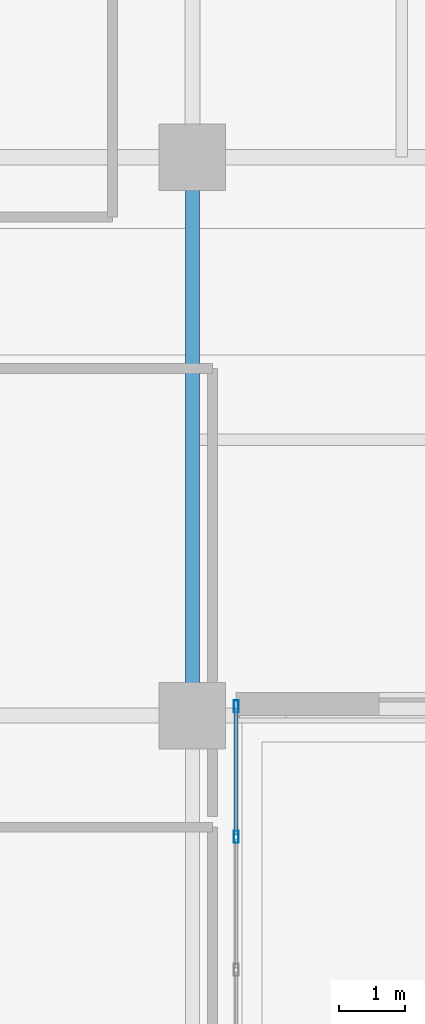
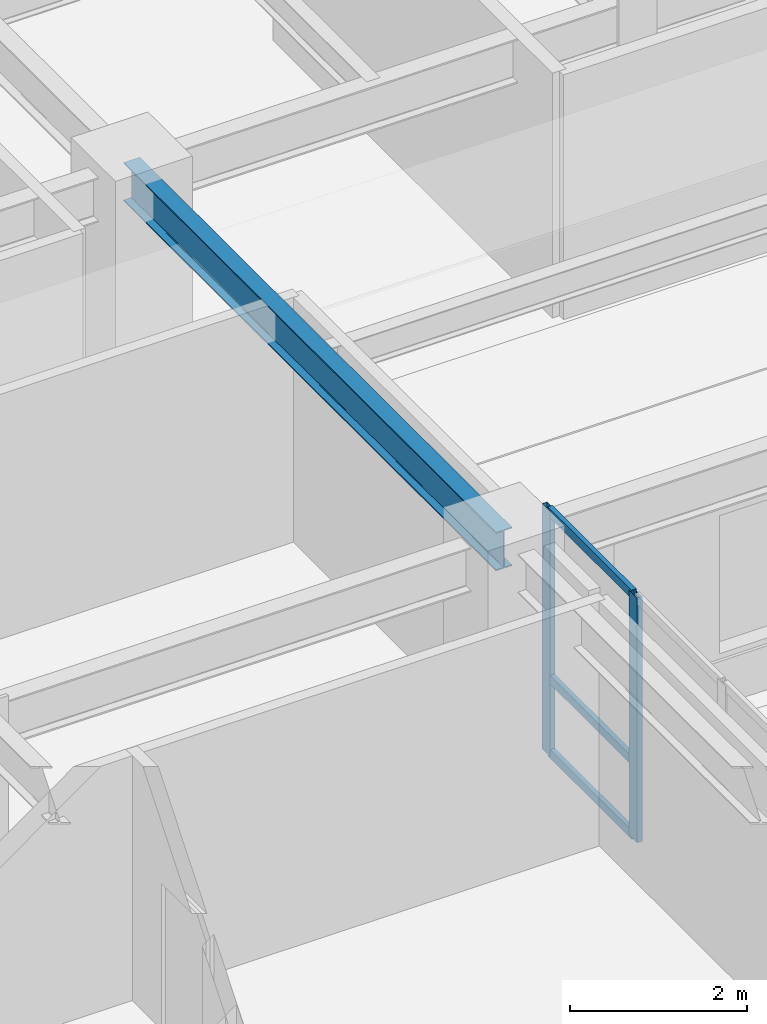
# One storey, part 6 of 25: 5 members, 1 beam, 1 element without a shape of its own.
"""IFC4 building model written with IfcOpenShell, lengths in metres."""

import ifcopenshell
import ifcopenshell.guid

model = None  # the IFC model being written
_history = None  # IfcOwnerHistory: only IFC2X3 demands one
_inside = {}  # id of a spatial element -> (the spatial element, [elements in it])
_under = {}  # id of a project, library or spatial element -> (it, [spatial elements below it])
_declared = {}  # id of a project -> (the project, [libraries it declares])
_typed = {}  # id of a type object -> (the type object, [elements of that type])
_made_of = {}  # id of a material, layer set ... -> (it, [elements and type objects made of it])


def new_model(schema):
    """Start an empty IFC model of exactly this schema.

    Asked for "IFC4X3", IfcOpenShell would pick the latest addendum, in which some entities
    have other attributes; the version numbers below select the first issue.
    IFC2X3 requires an IfcOwnerHistory on every rooted entity: one is made here for all.
    """
    global model, _history
    if schema == "IFC4X3":
        model = ifcopenshell.file(schema_version=(4, 3, 0, 0))
    else:
        model = ifcopenshell.file(schema=schema)
    _inside.clear()
    _under.clear()
    _declared.clear()
    _typed.clear()
    _made_of.clear()
    _history = None
    if model.schema == "IFC2X3":
        org = make("IfcOrganization", Name="unknown")
        user = make(
            "IfcPersonAndOrganization",
            ThePerson=make("IfcPerson", FamilyName="unknown"),
            TheOrganization=org,
        )
        app = make(
            "IfcApplication",
            ApplicationDeveloper=org,
            Version="unknown",
            ApplicationFullName="unknown",
            ApplicationIdentifier="unknown",
        )
        _history = make(
            "IfcOwnerHistory",
            OwningUser=user,
            OwningApplication=app,
            ChangeAction="ADDED",
            CreationDate=0,
        )
    return model


def make(cls, **values):
    """One entity of the class cls with the attributes given. An attribute that is None is left unset."""
    return model.create_entity(
        cls, **{name: value for name, value in values.items() if value is not None}
    )


def rooted(cls, **values):
    """An entity with a GlobalId (a new one), such as an element, a storey or a relation."""
    return make(cls, GlobalId=ifcopenshell.guid.new(), OwnerHistory=_history, **values)


def si_unit(unit_type, name, prefix=None):
    """IfcSIUnit, for example si_unit("LENGTHUNIT", "METRE", prefix="MILLI")."""
    return make("IfcSIUnit", UnitType=unit_type, Prefix=prefix, Name=name)


def assignment(units):
    """IfcUnitAssignment: the units of a project."""
    return None if units is None else make("IfcUnitAssignment", Units=units)


def point(xyz):
    """IfcCartesianPoint."""
    return None if xyz is None else make("IfcCartesianPoint", Coordinates=xyz)


def direction(xyz):
    """IfcDirection."""
    return None if xyz is None else make("IfcDirection", DirectionRatios=xyz)


def frame(location, z_axis=None, x_axis=None):
    """IfcAxis2Placement3D, a coordinate frame: its origin and axes. An axis left out is left unset."""
    return make(
        "IfcAxis2Placement3D",
        Location=point(location),
        Axis=direction(z_axis),
        RefDirection=direction(x_axis),
    )


def frame_2d(location, x_axis=None):
    """IfcAxis2Placement2D, a coordinate frame in the plane: its origin and x axis."""
    return make(
        "IfcAxis2Placement2D", Location=point(location), RefDirection=direction(x_axis)
    )


def origin():
    """The frame at (0, 0, 0) with its axes left unset."""
    return frame((0.0, 0.0, 0.0))


def origin_2d():
    """The frame at (0, 0) in the plane with its x axis left unset."""
    return frame_2d((0.0, 0.0))


def place(relative_to, where):
    """IfcLocalPlacement: puts the frame where relative to a parent placement (None: the world)."""
    return make(
        "IfcLocalPlacement", PlacementRelTo=relative_to, RelativePlacement=where
    )


def context(
    kind, dimensions, precision=None, world=None, true_north=None, identifier=None
):
    """IfcGeometricRepresentationContext, for example the 3D "Model" context."""
    return make(
        "IfcGeometricRepresentationContext",
        ContextIdentifier=identifier,
        ContextType=kind,
        CoordinateSpaceDimension=dimensions,
        Precision=precision,
        WorldCoordinateSystem=world,
        TrueNorth=true_north,
    )


def subcontext(parent, identifier, kind, view, scale=None):
    """IfcGeometricRepresentationSubContext, for example "Body" below "Model"."""
    return make(
        "IfcGeometricRepresentationSubContext",
        ContextIdentifier=identifier,
        ContextType=kind,
        ParentContext=parent,
        TargetScale=scale,
        TargetView=view,
    )


def project(units=None, contexts=None):
    """IfcProject with its units and contexts."""
    return rooted(
        "IfcProject",
        Name="project",
        RepresentationContexts=contexts,
        UnitsInContext=assignment(units),
    )


def spatial(cls, under=None, at=None, **own):
    """A site, building, storey or space (cls), placed at a placement, below another one or the project."""
    s = rooted(cls, ObjectPlacement=at, **own)
    if under is not None:
        _under.setdefault(under.id(), (under, []))[1].append(s)
    return s


def profile(cls, at=None, kind="AREA", **sizes):
    """A parametric profile (cls). Its sizes go by their IFC names, for example OverallWidth=200.0."""
    return make(cls, ProfileType=kind, Position=at, **sizes)


def hollow_rectangle(**sizes):
    """IfcRectangleHollowProfileDef."""
    return profile("IfcRectangleHollowProfileDef", **sizes)


def i_section(**sizes):
    """IfcIShapeProfileDef."""
    return profile("IfcIShapeProfileDef", **sizes)


def extrude(swept, where, along, depth):
    """IfcExtrudedAreaSolid: the profile swept, set in the frame where, extruded along a direction by depth."""
    return make(
        "IfcExtrudedAreaSolid",
        SweptArea=swept,
        Position=where,
        ExtrudedDirection=direction(along),
        Depth=depth,
    )


def shape(context_of_items, identifier, shape_type, items):
    """IfcShapeRepresentation: the items that make up one representation, for example the "Body"."""
    return make(
        "IfcShapeRepresentation",
        ContextOfItems=context_of_items,
        RepresentationIdentifier=identifier,
        RepresentationType=shape_type,
        Items=items,
    )


def source(mapping_origin, context_of_items, identifier, shape_type, items):
    """IfcRepresentationMap: a shape defined once, which mapped items show again and again."""
    return make(
        "IfcRepresentationMap",
        MappingOrigin=mapping_origin,
        MappedRepresentation=shape(context_of_items, identifier, shape_type, items),
    )


def transform(
    local_origin,
    x_axis=None,
    y_axis=None,
    z_axis=None,
    scale=None,
    scale2=None,
    scale3=None,
    uniform=True,
):
    """IfcCartesianTransformationOperator3D, or its non-uniform kind. x_axis, y_axis, z_axis: its Axis1, 2, 3."""
    if uniform:
        return make(
            "IfcCartesianTransformationOperator3D",
            Axis1=direction(x_axis),
            Axis2=direction(y_axis),
            LocalOrigin=point(local_origin),
            Scale=scale,
            Axis3=direction(z_axis),
        )
    return make(
        "IfcCartesianTransformationOperator3DnonUniform",
        Axis1=direction(x_axis),
        Axis2=direction(y_axis),
        LocalOrigin=point(local_origin),
        Scale=scale,
        Axis3=direction(z_axis),
        Scale2=scale2,
        Scale3=scale3,
    )


def mapped(mapping_source, mapping_target):
    """IfcMappedItem: shows the shape of a source again, moved by a transform."""
    return make(
        "IfcMappedItem", MappingSource=mapping_source, MappingTarget=mapping_target
    )


def material(Name=None, Category=None):
    """IfcMaterial."""
    return make("IfcMaterial", Name=Name, Category=Category)


def layer(
    of_material, thickness, ventilated=None, Name=None, Category=None, Priority=None
):
    """IfcMaterialLayer: one layer of a wall or slab, of a material (None: an air gap)."""
    return make(
        "IfcMaterialLayer",
        Material=of_material,
        LayerThickness=thickness,
        IsVentilated=ventilated,
        Name=Name,
        Category=Category,
        Priority=Priority,
    )


def layer_set(layers, Name=None):
    """IfcMaterialLayerSet."""
    return make("IfcMaterialLayerSet", MaterialLayers=layers, LayerSetName=Name)


def material_profile(
    of_material, cross_section, Name=None, Category=None, Priority=None
):
    """IfcMaterialProfile: a cross section and its material."""
    return make(
        "IfcMaterialProfile",
        Name=Name,
        Material=of_material,
        Profile=cross_section,
        Priority=Priority,
        Category=Category,
    )


def profile_set(profiles, Name=None, composite=None):
    """IfcMaterialProfileSet."""
    return make(
        "IfcMaterialProfileSet",
        Name=Name,
        MaterialProfiles=profiles,
        CompositeProfile=composite,
    )


def made_of(thing, what):
    """Note that an element or type object is made of a material, layer set ...; save() writes the relation."""
    if what is not None:
        _made_of.setdefault(what.id(), (what, []))[1].append(thing)
    return thing


def type_object(cls, material=None, **own):
    """A type object (cls), such as IfcWallType, which elements share."""
    return made_of(rooted(cls, **own), material)


def type_shapes(of_type, sources):
    """Give a type object the sources (RepresentationMaps) that its elements show as mapped items."""
    of_type.RepresentationMaps = sources


def element(
    cls,
    number,
    at=None,
    inside=None,
    cuts=None,
    type_object=None,
    material=None,
    context=None,
    identifier="Body",
    shape_type=None,
    held_by="IfcProductDefinitionShape",
    body=None,
    shapes=None,
    **own,
):
    """One element of the class cls, such as IfcWall. Its Tag is "e" and its number.

    at: its placement. inside: the storey or other place that contains it. cuts: it is an
    opening in that element (IfcRelVoidsElement). A single representation is given by context,
    identifier, shape_type and body (its items); several are given by shapes. held_by: the class
    of the entity that holds the representations. save() writes the other relations.
    """
    e = rooted(cls, Tag="e%d" % number, ObjectPlacement=at, **own)
    if body is not None:
        shapes = [shape(context, identifier, shape_type, body)]
    if shapes is not None:
        e.Representation = make(held_by, Representations=shapes)
    if inside is not None:
        _inside.setdefault(inside.id(), (inside, []))[1].append(e)
    if cuts is not None:
        rooted(
            "IfcRelVoidsElement", RelatingBuildingElement=cuts, RelatedOpeningElement=e
        )
    if type_object is not None:
        _typed.setdefault(type_object.id(), (type_object, []))[1].append(e)
    return made_of(e, material)


def aggregate(whole, parts):
    """IfcRelAggregates: a whole, such as a stair, and the parts it consists of."""
    return rooted("IfcRelAggregates", RelatingObject=whole, RelatedObjects=parts)


def save(model, path):
    """Write the relations noted so far, then the file.

    IfcRelAggregates (storeys below a building ...), IfcRelContainedInSpatialStructure (elements
    in a storey), IfcRelDefinesByType, IfcRelAssociatesMaterial and IfcRelDeclares: one each for
    every whole, place, type object, material and project.
    """
    for whole, parts in _under.values():
        aggregate(whole, parts)
    for where, things in _inside.values():
        rooted(
            "IfcRelContainedInSpatialStructure",
            RelatedElements=things,
            RelatingStructure=where,
        )
    for kind, things in _typed.values():
        rooted("IfcRelDefinesByType", RelatedObjects=things, RelatingType=kind)
    for what, things in _made_of.values():
        rooted("IfcRelAssociatesMaterial", RelatedObjects=things, RelatingMaterial=what)
    for by, libraries in _declared.values():
        rooted("IfcRelDeclares", RelatingContext=by, RelatedDefinitions=libraries)
    model.write(path)


model = new_model("IFC4")

# Units and contexts
model_context = context("Model", 3, precision=1e-05, world=origin(), true_north=direction((0.0, 1.0)))
body_context = subcontext(model_context, "Body", "Model", "MODEL_VIEW")
ifc_project = project(units=[si_unit("LENGTHUNIT", "METRE"), si_unit("AREAUNIT", "SQUARE_METRE"), si_unit("VOLUMEUNIT", "CUBIC_METRE"), si_unit("PLANEANGLEUNIT", "RADIAN"), si_unit("MASSUNIT", "GRAM", prefix="KILO")], contexts=[model_context])

# Site, building, storey
site_placement = place(None, origin())
site = spatial("IfcSite", under=ifc_project, at=site_placement, CompositionType="ELEMENT")
building_placement = place(site_placement, origin())
building = spatial("IfcBuilding", under=site, at=building_placement, Name="Tolvann Quenvar Hotel", CompositionType="ELEMENT")
storey_placement = place(building_placement, frame((0.0, 0.0, 32.0)))
storey = spatial("IfcBuildingStorey", under=building, at=storey_placement, Name="L06", CompositionType="ELEMENT", Elevation=32.0)

# Beam
ifc_material_1 = material(Name="Steel Grade 350", Category="steel")
ifc_material_profile_1 = material_profile(ifc_material_1, i_section(OverallWidth=0.208984375, OverallDepth=0.532958984375, WebThickness=0.01025390625, FlangeThickness=0.015625, FilletRadius=0.013916015625, at=origin_2d()), Name="530UB92")
ifc_profile_set_1 = profile_set([ifc_material_profile_1], Name="Steel Grade 350")
beam_type = type_object("IfcBeamType", Name="BM_GIRD_530UB92", PredefinedType="BEAM", material=ifc_profile_set_1)
shared_shape_1 = source(origin(), body_context, "Body", "SweptSolid", [
    extrude(i_section(OverallWidth=0.208984375, OverallDepth=0.532958984375, WebThickness=0.01025390625, FlangeThickness=0.015625, FilletRadius=0.013916015625, at=origin_2d()), origin(), (0.0, 0.0, 1.0), 8.39990234375),
])
type_shapes(beam_type, [shared_shape_1])
beam_placement = place(storey_placement, frame((22.050048828125, 16.0, 3.103515625), z_axis=(0.0, 1.0, 0.0), x_axis=(-1.0, 0.0, 0.0)))
element("IfcBeam", 1, at=beam_placement, inside=storey, type_object=beam_type, Name="BM-L06-NS-E4-E5", PredefinedType="BEAM", context=body_context, shape_type="MappedRepresentation", body=[
    mapped(shared_shape_1, transform((0.0, 0.0, 0.0), x_axis=(1.0, 0.0, 0.0), y_axis=(0.0, 1.0, 0.0), z_axis=(0.0, 0.0, 1.0), scale=1.0)),
])

# Curtain wall, members
ifc_material_2 = material(Name="Thermally broken anodised architectural aluminium 6063-T6 and laminated low-E glass", Category="aluminium")
ifc_layer = layer(ifc_material_2, 0.179931640625)
ifc_layer_set = layer_set([ifc_layer], Name="Thermally broken anodised architectural aluminium 6063-T6 and laminated low-E glass")
curtain_wall_type = type_object("IfcCurtainWallType", Name="CW_SYS_SLOT_03", PredefinedType="USERDEFINED", material=ifc_layer_set)
curtain_wall_placement = place(storey_placement, origin())
curtain_wall = element("IfcCurtainWall", 2, at=curtain_wall_placement, inside=storey, type_object=curtain_wall_type, Name="Curtain Wall CW-SLOT-03 (CWR-L06-E05)", ObjectType="UNITISED CURTAIN WALL", PredefinedType="USERDEFINED")
ifc_material_3 = material(Name="Anodised architectural aluminium 6063-T6 framing", Category="aluminium")
ifc_material_profile_2 = material_profile(ifc_material_3, hollow_rectangle(XDim=0.070068359375, YDim=0.179931640625, WallThickness=0.00390625, at=origin_2d()), Name="180x70x4RHS")
ifc_profile_set_2 = profile_set([ifc_material_profile_2], Name="Anodised architectural aluminium 6063-T6 framing")
member_type_1 = type_object("IfcMemberType", Name="CW_MULL_180x70", PredefinedType="MULLION", material=ifc_profile_set_2)
shared_shape_2 = source(origin(), body_context, "Body", "SweptSolid", [
    extrude(hollow_rectangle(XDim=0.070068359375, YDim=0.179931640625, WallThickness=0.00390625, at=origin_2d()), origin(), (0.0, 0.0, 1.0), 3.3701171875),
])
type_shapes(member_type_1, [shared_shape_2])
member_1_placement = place(storey_placement, frame((22.7099609375, 14.175048828125, 0.0), z_axis=(0.0, 0.0, 1.0), x_axis=(-1.0, 0.0, 0.0)))
member_1 = element("IfcMember", 3, at=member_1_placement, type_object=member_type_1, Name="CW-SLOT-03 mullion 8", PredefinedType="MULLION", context=body_context, shape_type="MappedRepresentation", body=[
    mapped(shared_shape_2, transform((0.0, 0.0, 0.0), x_axis=(1.0, 0.0, 0.0), y_axis=(0.0, 1.0, 0.0), z_axis=(0.0, 0.0, 1.0), scale=1.0)),
])
member_2_placement = place(storey_placement, frame((22.7099609375, 16.139892578125, 0.0), z_axis=(0.0, 0.0, 1.0), x_axis=(-1.0, 0.0, 0.0)))
member_2 = element("IfcMember", 4, at=member_2_placement, type_object=member_type_1, Name="CW-SLOT-03 mullion 9", PredefinedType="MULLION", context=body_context, shape_type="MappedRepresentation", body=[
    mapped(shared_shape_2, transform((0.0, 0.0, 0.0), x_axis=(1.0, 0.0, 0.0), y_axis=(0.0, 1.0, 0.0), z_axis=(0.0, 0.0, 1.0), scale=1.0)),
])
ifc_material_profile_3 = material_profile(ifc_material_3, hollow_rectangle(XDim=0.06005859375, YDim=0.1201171875, WallThickness=0.00341796875, at=origin_2d()), Name="120x60x3.5RHS")
ifc_profile_set_3 = profile_set([ifc_material_profile_3], Name="Anodised architectural aluminium 6063-T6 framing")
member_type_2 = type_object("IfcMemberType", Name="CW_TRAN_120x60", PredefinedType="USERDEFINED", material=ifc_profile_set_3)
shared_shape_3 = source(origin(), body_context, "Body", "SweptSolid", [
    extrude(hollow_rectangle(XDim=0.06005859375, YDim=0.1201171875, WallThickness=0.00341796875, at=origin_2d()), origin(), (0.0, 0.0, 1.0), 1.89501953125),
])
type_shapes(member_type_2, [shared_shape_3])
member_3_placement = place(storey_placement, frame((22.7099609375, 14.2099609375, 0.030029296875), z_axis=(0.0, 1.0, 0.0), x_axis=(-1.0, 0.0, 0.0)))
member_3 = element("IfcMember", 5, at=member_3_placement, type_object=member_type_2, Name="CW-SLOT-03 transom 8.1", ObjectType="TRANSOM", PredefinedType="USERDEFINED", context=body_context, shape_type="MappedRepresentation", body=[
    mapped(shared_shape_3, transform((0.0, 0.0, 0.0), x_axis=(1.0, 0.0, 0.0), y_axis=(0.0, 1.0, 0.0), z_axis=(0.0, 0.0, 1.0), scale=1.0)),
])
member_4_placement = place(storey_placement, frame((22.7099609375, 14.2099609375, 1.050048828125), z_axis=(0.0, 1.0, 0.0), x_axis=(-1.0, 0.0, 0.0)))
member_4 = element("IfcMember", 6, at=member_4_placement, type_object=member_type_2, Name="CW-SLOT-03 transom 8.2", ObjectType="TRANSOM", PredefinedType="USERDEFINED", context=body_context, shape_type="MappedRepresentation", body=[
    mapped(shared_shape_3, transform((0.0, 0.0, 0.0), x_axis=(1.0, 0.0, 0.0), y_axis=(0.0, 1.0, 0.0), z_axis=(0.0, 0.0, 1.0), scale=1.0)),
])
member_5_placement = place(storey_placement, frame((22.7099609375, 14.2099609375, 3.340087890625), z_axis=(0.0, 1.0, 0.0), x_axis=(-1.0, 0.0, 0.0)))
member_5 = element("IfcMember", 7, at=member_5_placement, type_object=member_type_2, Name="CW-SLOT-03 transom 8.3", ObjectType="TRANSOM", PredefinedType="USERDEFINED", context=body_context, shape_type="MappedRepresentation", body=[
    mapped(shared_shape_3, transform((0.0, 0.0, 0.0), x_axis=(1.0, 0.0, 0.0), y_axis=(0.0, 1.0, 0.0), z_axis=(0.0, 0.0, 1.0), scale=1.0)),
])
aggregate(curtain_wall, [member_1, member_2, member_3, member_4, member_5])

save(model, "model.ifc")
